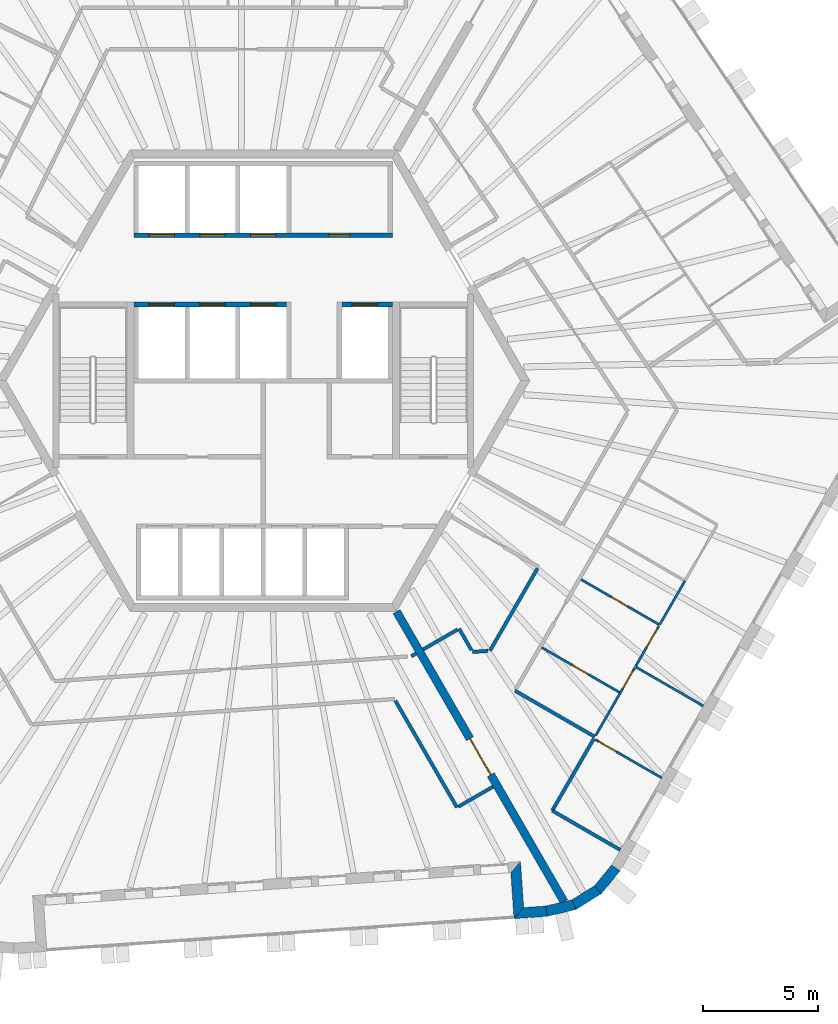
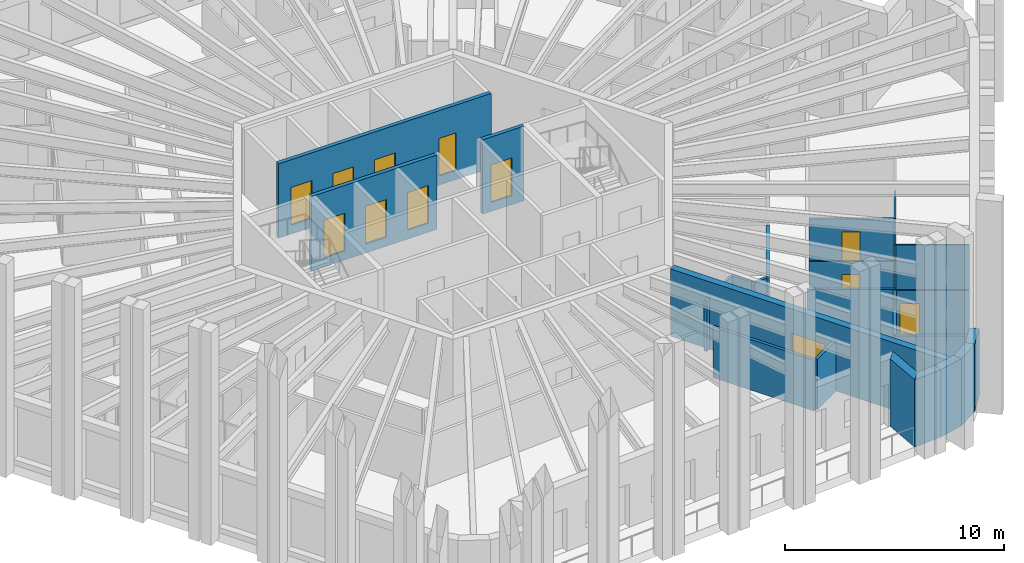
# One storey, part 5 of 12: 27 walls, 14 doors, 14 openings.
"""IFC4 building model written with IfcOpenShell, lengths in metres."""

from ifc_helpers import new_model, si_unit, direction, frame, frame_2d, origin, place, context, subcontext, project, spatial, polyline, rectangle, outline, extrude, material, layer, layer_set, type_object, element, fill, save


model = new_model("IFC4")

# Units and contexts
model_context = context("Model", 3, precision=1e-05, world=origin(), true_north=direction((0.0, 1.0)))
body_context = subcontext(model_context, "Body", "Model", "MODEL_VIEW")
ifc_project = project(units=[si_unit("LENGTHUNIT", "METRE"), si_unit("AREAUNIT", "SQUARE_METRE"), si_unit("VOLUMEUNIT", "CUBIC_METRE"), si_unit("PLANEANGLEUNIT", "RADIAN"), si_unit("MASSUNIT", "GRAM", prefix="KILO")], contexts=[model_context])

# Site, building, storey
site_placement = place(None, origin())
site = spatial("IfcSite", under=ifc_project, at=site_placement, CompositionType="ELEMENT")
building_placement = place(site_placement, origin())
building = spatial("IfcBuilding", under=site, at=building_placement, Name="Tarnside Tower", CompositionType="ELEMENT")
storey_placement = place(building_placement, frame((0.0, 0.0, 349.5)))
storey = spatial("IfcBuildingStorey", under=building, at=storey_placement, Name="L84", CompositionType="ELEMENT", Elevation=349.5)

# Wall
ifc_material_1 = material(Name="Gypsum board partition on steel studs", Category="steel")
ifc_layer_1 = layer(ifc_material_1, 0.10009765625)
ifc_layer_set_1 = layer_set([ifc_layer_1], Name="Bathroom wall 100")
wall_type_1 = type_object("IfcWallType", Name="Bathroom wall 100", PredefinedType="PARTITIONING", material=ifc_layer_set_1)
wall_1_placement = place(storey_placement, frame((18.26318359375, -8.66748046875, 0.0), z_axis=(0.0, 0.0, 1.0), x_axis=(-0.50002983664, -0.866008176907, 0.0)))
element("IfcWall", 1, at=wall_1_placement, inside=storey, type_object=wall_type_1, Name="Bathroom wall 27106", PredefinedType="PARTITIONING", context=body_context, shape_type="SweptSolid", body=[
    extrude(rectangle(XDim=2.199951171875, YDim=0.10009765625, at=frame_2d((1.10009765625, 0.0))), origin(), (0.0, 0.0, 1.0), 2.820068359375),
])

# Wall, opening, door
wall_2_placement = place(storey_placement, frame((12.06396484375, -11.5546875, 0.0), z_axis=(0.0, 0.0, 1.0), x_axis=(0.866037464623, -0.499979109433, 0.0)))
wall_2 = element("IfcWall", 2, at=wall_2_placement, inside=storey, type_object=wall_type_1, Name="Bathroom wall 27113", PredefinedType="PARTITIONING", context=body_context, shape_type="SweptSolid", body=[
    extrude(rectangle(XDim=3.925048828125, YDim=0.10009765625, at=frame_2d((1.96240234375, 0.0))), origin(), (0.0, 0.0, 1.0), 2.820068359375),
])
opening_1_placement = place(wall_2_placement, frame((1.52490234375, 0.0, 0.0)))
opening_1 = element("IfcOpeningElement", 3, at=opening_1_placement, cuts=wall_2, Name="Opening D-B1", PredefinedType="OPENING", context=body_context, shape_type="SweptSolid", body=[
    extrude(rectangle(XDim=0.800048828125, YDim=2.10009765625, at=frame_2d((0.39990234375, 1.050048828125))), frame((0.0, 0.06005859375, 0.0), z_axis=(0.0, -1.0, 0.0), x_axis=(1.0, 0.0, 0.0)), (0.0, 0.0, 1.0), 0.1201171875),
])
ifc_material_2 = material(Name="Timber door leaf", Category="wood")
door_type_1 = type_object("IfcDoorType", Name="Bathroom door 800", OperationType="NOTDEFINED", PredefinedType="DOOR", material=ifc_material_2)
door_1_placement = place(opening_1_placement, origin())
door_1 = element("IfcDoor", 4, at=door_1_placement, inside=storey, type_object=door_type_1, Name="Bathroom door 27036", OperationType="SINGLE_SWING_RIGHT", OverallHeight=2.10009765625, OverallWidth=0.800048828125, PredefinedType="DOOR", context=body_context, shape_type="SweptSolid", body=[
    extrude(rectangle(XDim=0.800048828125, YDim=2.10009765625, at=frame_2d((0.39990234375, 1.050048828125))), frame((0.0, 0.02490234375, 0.0), z_axis=(0.0, -1.0, 0.0), x_axis=(1.0, 0.0, 0.0)), (0.0, 0.0, 1.0), 0.050048828125),
])
fill(opening_1, door_1)

wall_3_placement = place(storey_placement, frame((17.119873046875, -10.547607421875, 0.0), z_axis=(0.0, 0.0, 1.0), x_axis=(-0.866032409438, 0.499987865656, 0.0)))
wall_3 = element("IfcWall", 5, at=wall_3_placement, inside=storey, type_object=wall_type_1, Name="Bathroom wall 27115", PredefinedType="PARTITIONING", context=body_context, shape_type="SweptSolid", body=[
    extrude(rectangle(XDim=3.875, YDim=0.10009765625, at=frame_2d((1.9375, 0.0))), origin(), (0.0, 0.0, 1.0), 2.820068359375),
])
opening_2_placement = place(wall_3_placement, frame((1.550048828125, 0.0, 0.0)))
opening_2 = element("IfcOpeningElement", 6, at=opening_2_placement, cuts=wall_3, Name="Opening D-B1", PredefinedType="OPENING", context=body_context, shape_type="SweptSolid", body=[
    extrude(rectangle(XDim=0.800048828125, YDim=2.10009765625, at=frame_2d((0.39990234375, 1.050048828125))), frame((0.0, 0.06005859375, 0.0), z_axis=(0.0, -1.0, 0.0), x_axis=(1.0, 0.0, 0.0)), (0.0, 0.0, 1.0), 0.1201171875),
])
door_2_placement = place(opening_2_placement, origin())
door_2 = element("IfcDoor", 7, at=door_2_placement, inside=storey, type_object=door_type_1, Name="Bathroom door 27042", OperationType="SINGLE_SWING_LEFT", OverallHeight=2.10009765625, OverallWidth=0.800048828125, PredefinedType="DOOR", context=body_context, shape_type="SweptSolid", body=[
    extrude(rectangle(XDim=0.800048828125, YDim=2.10009765625, at=frame_2d((0.39990234375, 1.050048828125))), frame((0.0, 0.02490234375, 0.0), z_axis=(0.0, -1.0, 0.0), x_axis=(1.0, 0.0, 0.0)), (0.0, 0.0, 1.0), 0.050048828125),
])
fill(opening_2, door_2)

# Wall
wall_4_placement = place(storey_placement, frame((14.399658203125, -15.359130859375, 0.0), z_axis=(0.0, 0.0, 1.0), x_axis=(0.499987164874, 0.866032814021, 0.0)))
element("IfcWall", 8, at=wall_4_placement, inside=storey, type_object=wall_type_1, Name="Bathroom wall 27116", PredefinedType="PARTITIONING", context=body_context, shape_type="SweptSolid", body=[
    extrude(rectangle(XDim=2.12890625, YDim=0.10009765625, at=frame_2d((1.064453125, 0.0))), origin(), (0.0, 0.0, 1.0), 2.820068359375),
])

# Wall, opening, door
ifc_material_3 = material(Name="Concrete C50/60", Category="concrete")
ifc_layer_2 = layer(ifc_material_3, 0.35009765625)
ifc_layer_set_2 = layer_set([ifc_layer_2], Name="Core wall Z4 350 C50/60")
wall_type_2 = type_object("IfcWallType", Name="Core wall Z4 350 C50/60", PredefinedType="SHEAR", material=ifc_layer_set_2)
wall_5_placement = place(storey_placement, frame((5.7734375, -10.0, 0.0), z_axis=(0.0, 0.0, 1.0), x_axis=(0.500007911273, -0.866020836161, 0.0)))
wall_5 = element("IfcWall", 9, at=wall_5_placement, inside=storey, type_object=wall_type_2, Name="L84 spine wall 3", PredefinedType="SHEAR", context=body_context, shape_type="SweptSolid", body=[
    extrude(rectangle(XDim=14.510498046875, YDim=0.35009765625, at=frame_2d((7.25537109375, 0.0))), origin(), (0.0, 0.0, 1.0), 3.75),
])
opening_3_placement = place(wall_5_placement, frame((6.355224609375, 0.0, 0.0)))
opening_3 = element("IfcOpeningElement", 10, at=opening_3_placement, cuts=wall_5, Name="Opening CD-SPN", PredefinedType="OPENING", context=body_context, shape_type="SweptSolid", body=[
    extrude(rectangle(XDim=1.800048828125, YDim=2.39990234375, at=frame_2d((0.89990234375, 1.199951171875))), frame((0.0, 0.18505859375, 0.0), z_axis=(0.0, -1.0, 0.0), x_axis=(1.0, 0.0, 0.0)), (0.0, 0.0, 1.0), 0.3701171875),
])
ifc_material_4 = material(Name="Steel fire door", Category="steel")
door_type_2 = type_object("IfcDoorType", Name="Spine passage double door FD60 1800x2400", OperationType="NOTDEFINED", PredefinedType="DOOR", material=ifc_material_4)
door_3_placement = place(opening_3_placement, origin())
door_3 = element("IfcDoor", 11, at=door_3_placement, inside=storey, type_object=door_type_2, Name="L84 spine passage door 3", OperationType="DOUBLE_DOOR_SINGLE_SWING", OverallHeight=2.39990234375, OverallWidth=1.800048828125, PredefinedType="DOOR", context=body_context, shape_type="SweptSolid", body=[
    extrude(rectangle(XDim=1.800048828125, YDim=2.39990234375, at=frame_2d((0.89990234375, 1.199951171875))), frame((0.0, 0.02490234375, 0.0), z_axis=(0.0, -1.0, 0.0), x_axis=(1.0, 0.0, 0.0)), (0.0, 0.0, 1.0), 0.050048828125),
])
fill(opening_3, door_3)

# Walls
ifc_layer_3 = layer(ifc_material_1, 0.14990234375)
ifc_layer_set_3 = layer_set([ifc_layer_3], Name="Corridor wall 150 EI 60")
wall_type_3 = type_object("IfcWallType", Name="Corridor wall 150 EI 60", PredefinedType="PARTITIONING", material=ifc_layer_set_3)
wall_6_placement = place(storey_placement, frame((5.721435546875, -13.859619140625, 0.0), z_axis=(0.0, 0.0, 1.0), x_axis=(0.499970524249, -0.866042420948, 0.0)))
element("IfcWall", 12, at=wall_6_placement, inside=storey, type_object=wall_type_3, Name="Corridor wall 27026", PredefinedType="PARTITIONING", context=body_context, shape_type="SweptSolid", body=[
    extrude(rectangle(XDim=5.338623046875, YDim=0.14990234375, at=frame_2d((2.66943359375, 0.0))), origin(), (0.0, 0.0, 1.0), 2.820068359375),
])
wall_7_placement = place(storey_placement, frame((8.455810546875, -18.44580078125, 0.0), z_axis=(0.0, 0.0, 1.0), x_axis=(0.866013532718, 0.500020560727, 0.0)))
element("IfcWall", 13, at=wall_7_placement, inside=storey, type_object=wall_type_3, Name="Corridor wall 27027", PredefinedType="PARTITIONING", context=body_context, shape_type="SweptSolid", body=[
    extrude(rectangle(XDim=1.72509765625, YDim=0.14990234375, at=frame_2d((0.862548828125, 0.0))), origin(), (0.0, 0.0, 1.0), 2.820068359375),
])
wall_8_placement = place(storey_placement, frame((6.61865234375, -11.81396484375, 0.0), z_axis=(0.0, 0.0, 1.0), x_axis=(-0.865544827262, -0.500831460673, 0.0)))
element("IfcWall", 14, at=wall_8_placement, inside=storey, type_object=wall_type_3, Name="Corridor wall 27039", PredefinedType="PARTITIONING", context=body_context, shape_type="SweptSolid", body=[
    extrude(rectangle(XDim=0.23486328125, YDim=0.14990234375, at=frame_2d((0.117431640625, 0.0))), origin(), (0.0, 0.0, 1.0), 2.820068359375),
])
wall_9_placement = place(storey_placement, frame((14.363037109375, -15.42236328125, 0.0), z_axis=(0.0, 0.0, 1.0), x_axis=(-0.866026010844, 0.49999894854, 0.0)))
element("IfcWall", 15, at=wall_9_placement, inside=storey, type_object=wall_type_3, Name="Corridor wall 27046", PredefinedType="PARTITIONING", context=body_context, shape_type="SweptSolid", body=[
    extrude(rectangle(XDim=4.0, YDim=0.14990234375, at=frame_2d((2.0, 0.0))), origin(), (0.0, 0.0, 1.0), 2.820068359375),
])
wall_10_placement = place(storey_placement, frame((12.516845703125, -18.6201171875, 0.0), z_axis=(0.0, 0.0, 1.0), x_axis=(0.500006299954, 0.866021766474, 0.0)))
element("IfcWall", 16, at=wall_10_placement, inside=storey, type_object=wall_type_3, Name="Corridor wall 27048", PredefinedType="PARTITIONING", context=body_context, shape_type="SweptSolid", body=[
    extrude(rectangle(XDim=3.5986328125, YDim=0.14990234375, at=frame_2d((1.79931640625, 0.0))), origin(), (0.0, 0.0, 1.0), 2.820068359375),
])
wall_11_placement = place(storey_placement, frame((15.460693359375, -20.3212890625, 0.0), z_axis=(0.0, 0.0, 1.0), x_axis=(-0.866010935101, 0.500025059658, 0.0)))
element("IfcWall", 17, at=wall_11_placement, inside=storey, type_object=wall_type_3, Name="Corridor wall 27049", PredefinedType="PARTITIONING", context=body_context, shape_type="SweptSolid", body=[
    extrude(rectangle(XDim=3.398681640625, YDim=0.14990234375, at=frame_2d((1.69921875, 0.0))), origin(), (0.0, 0.0, 1.0), 2.820068359375),
])
wall_12_placement = place(storey_placement, frame((11.87939453125, -8.124267578125, 0.0), z_axis=(0.0, 0.0, 1.0), x_axis=(-0.500006178143, -0.866021836803, 0.0)))
element("IfcWall", 18, at=wall_12_placement, inside=storey, type_object=wall_type_3, Name="Corridor wall 27063", PredefinedType="PARTITIONING", context=body_context, shape_type="SweptSolid", body=[
    extrude(rectangle(XDim=4.12158203125, YDim=0.14990234375, at=frame_2d((2.060791015625, 0.0))), origin(), (0.0, 0.0, 1.0), 2.820068359375),
])
wall_13_placement = place(storey_placement, frame((9.728515625, -11.699951171875, 0.0), z_axis=(0.0, 0.0, 1.0), x_axis=(-0.997585124395, -0.069454442519, 0.0)))
element("IfcWall", 19, at=wall_13_placement, inside=storey, type_object=wall_type_3, Name="Corridor wall 27064", PredefinedType="PARTITIONING", context=body_context, shape_type="SweptSolid", body=[
    extrude(rectangle(XDim=0.66796875, YDim=0.14990234375, at=frame_2d((0.333984375, 0.0))), origin(), (0.0, 0.0, 1.0), 2.820068359375),
])
wall_14_placement = place(storey_placement, frame((9.020751953125, -11.674072265625, 0.0), z_axis=(0.0, 0.0, 1.0), x_axis=(-0.500126914667, 0.865952117167, 0.0)))
element("IfcWall", 20, at=wall_14_placement, inside=storey, type_object=wall_type_3, Name="Corridor wall 27065", PredefinedType="PARTITIONING", context=body_context, shape_type="SweptSolid", body=[
    extrude(rectangle(XDim=1.079833984375, YDim=0.14990234375, at=frame_2d((0.5400390625, 0.0))), origin(), (0.0, 0.0, 1.0), 2.820068359375),
])
wall_15_placement = place(storey_placement, frame((8.415771484375, -10.776611328125, 0.0), z_axis=(0.0, 0.0, 1.0), x_axis=(-0.866074815912, -0.499914405916, 0.0)))
element("IfcWall", 21, at=wall_15_placement, inside=storey, type_object=wall_type_3, Name="Corridor wall 27066", PredefinedType="PARTITIONING", context=body_context, shape_type="SweptSolid", body=[
    extrude(rectangle(XDim=1.724853515625, YDim=0.14990234375, at=frame_2d((0.8623046875, 0.0))), origin(), (0.0, 0.0, 1.0), 2.820068359375),
])

# Wall, openings, doors
ifc_material_5 = material(Name="Concrete C40/50", Category="concrete")
ifc_layer_4 = layer(ifc_material_5, 0.199951171875)
ifc_layer_set_4 = layer_set([ifc_layer_4], Name="Lift shaft wall 200 C40/50")
wall_type_4 = type_object("IfcWallType", Name="Lift shaft wall 200 C40/50", PredefinedType="SHEAR", material=ifc_layer_set_4)
wall_16_placement = place(storey_placement, frame((-5.60009765625, 6.300048828125, -0.5), z_axis=(0.0, 0.0, 1.0), x_axis=(1.0, 0.0, 0.0)))
wall_16 = element("IfcWall", 22, at=wall_16_placement, inside=storey, type_object=wall_type_4, Name="L84 lift shaft front wall R1", PredefinedType="SHEAR", context=body_context, shape_type="SweptSolid", body=[
    extrude(rectangle(XDim=11.2001953125, YDim=0.199951171875, at=frame_2d((5.60009765625, 0.0))), origin(), (0.0, 0.0, 1.0), 4.14990234375),
])
opening_4_placement = place(wall_16_placement, frame((8.449951171875, 0.0, 0.5)))
opening_4 = element("IfcOpeningElement", 23, at=opening_4_placement, cuts=wall_16, Name="Opening CD-room", PredefinedType="OPENING", context=body_context, shape_type="SweptSolid", body=[
    extrude(rectangle(XDim=0.89990234375, YDim=2.10009765625, at=frame_2d((0.449951171875, 1.050048828125))), frame((0.0, 0.10986328125, 0.0), z_axis=(0.0, -1.0, 0.0), x_axis=(1.0, 0.0, 0.0)), (0.0, 0.0, 1.0), 0.219970703125),
])
opening_5_placement = place(wall_16_placement, frame((0.64990234375, 0.0, 0.5)))
opening_5 = element("IfcOpeningElement", 24, at=opening_5_placement, cuts=wall_16, Name="Opening LD", PredefinedType="OPENING", context=body_context, shape_type="SweptSolid", body=[
    extrude(rectangle(XDim=1.10009765625, YDim=2.10009765625, at=frame_2d((0.550048828125, 1.050048828125))), frame((0.0, 0.10986328125, 0.0), z_axis=(0.0, -1.0, 0.0), x_axis=(1.0, 0.0, 0.0)), (0.0, 0.0, 1.0), 0.219970703125),
])
opening_6_placement = place(wall_16_placement, frame((2.85009765625, 0.0, 0.5)))
opening_6 = element("IfcOpeningElement", 25, at=opening_6_placement, cuts=wall_16, Name="Opening LD", PredefinedType="OPENING", context=body_context, shape_type="SweptSolid", body=[
    extrude(rectangle(XDim=1.10009765625, YDim=2.10009765625, at=frame_2d((0.550048828125, 1.050048828125))), frame((0.0, 0.10986328125, 0.0), z_axis=(0.0, -1.0, 0.0), x_axis=(1.0, 0.0, 0.0)), (0.0, 0.0, 1.0), 0.219970703125),
])
opening_7_placement = place(wall_16_placement, frame((5.050048828125, 0.0, 0.5)))
opening_7 = element("IfcOpeningElement", 26, at=opening_7_placement, cuts=wall_16, Name="Opening LD", PredefinedType="OPENING", context=body_context, shape_type="SweptSolid", body=[
    extrude(rectangle(XDim=1.10009765625, YDim=2.10009765625, at=frame_2d((0.550048828125, 1.050048828125))), frame((0.0, 0.10986328125, 0.0), z_axis=(0.0, -1.0, 0.0), x_axis=(1.0, 0.0, 0.0)), (0.0, 0.0, 1.0), 0.219970703125),
])
ifc_material_6 = material(Name="Stainless steel", Category="steel")
door_type_3 = type_object("IfcDoorType", Name="Lift landing door 1100x2100", OperationType="NOTDEFINED", PredefinedType="DOOR", material=ifc_material_6)
door_4_placement = place(opening_5_placement, origin())
door_4 = element("IfcDoor", 27, at=door_4_placement, inside=storey, type_object=door_type_3, Name="High-rise lift 1 landing door L84", OperationType="SLIDING_TO_LEFT", OverallHeight=2.10009765625, OverallWidth=1.10009765625, PredefinedType="DOOR", context=body_context, shape_type="SweptSolid", body=[
    extrude(rectangle(XDim=1.10009765625, YDim=2.10009765625, at=frame_2d((0.550048828125, 1.050048828125))), frame((0.0, 0.02490234375, 0.0), z_axis=(0.0, -1.0, 0.0), x_axis=(1.0, 0.0, 0.0)), (0.0, 0.0, 1.0), 0.050048828125),
])
fill(opening_5, door_4)
door_5_placement = place(opening_6_placement, origin())
door_5 = element("IfcDoor", 28, at=door_5_placement, inside=storey, type_object=door_type_3, Name="High-rise lift 2 landing door L84", OperationType="SLIDING_TO_LEFT", OverallHeight=2.10009765625, OverallWidth=1.10009765625, PredefinedType="DOOR", context=body_context, shape_type="SweptSolid", body=[
    extrude(rectangle(XDim=1.10009765625, YDim=2.10009765625, at=frame_2d((0.550048828125, 1.050048828125))), frame((0.0, 0.02490234375, 0.0), z_axis=(0.0, -1.0, 0.0), x_axis=(1.0, 0.0, 0.0)), (0.0, 0.0, 1.0), 0.050048828125),
])
fill(opening_6, door_5)
door_6_placement = place(opening_7_placement, origin())
door_6 = element("IfcDoor", 29, at=door_6_placement, inside=storey, type_object=door_type_3, Name="High-rise lift 3 landing door L84", OperationType="SLIDING_TO_LEFT", OverallHeight=2.10009765625, OverallWidth=1.10009765625, PredefinedType="DOOR", context=body_context, shape_type="SweptSolid", body=[
    extrude(rectangle(XDim=1.10009765625, YDim=2.10009765625, at=frame_2d((0.550048828125, 1.050048828125))), frame((0.0, 0.02490234375, 0.0), z_axis=(0.0, -1.0, 0.0), x_axis=(1.0, 0.0, 0.0)), (0.0, 0.0, 1.0), 0.050048828125),
])
fill(opening_7, door_6)
door_type_4 = type_object("IfcDoorType", Name="Room door FD60 900x2100", OperationType="NOTDEFINED", PredefinedType="DOOR", material=ifc_material_4)
door_7_placement = place(opening_4_placement, origin())
door_7 = element("IfcDoor", 30, at=door_7_placement, inside=storey, type_object=door_type_4, Name="L84 core room door FC1", OperationType="SINGLE_SWING_LEFT", OverallHeight=2.10009765625, OverallWidth=0.89990234375, PredefinedType="DOOR", context=body_context, shape_type="SweptSolid", body=[
    extrude(rectangle(XDim=0.89990234375, YDim=2.10009765625, at=frame_2d((0.449951171875, 1.050048828125))), frame((0.0, 0.02490234375, 0.0), z_axis=(0.0, -1.0, 0.0), x_axis=(1.0, 0.0, 0.0)), (0.0, 0.0, 1.0), 0.050048828125),
])
fill(opening_4, door_7)

wall_17_placement = place(storey_placement, frame((-5.60009765625, 3.300048828125, -0.5), z_axis=(0.0, 0.0, 1.0), x_axis=(1.0, 0.0, 0.0)))
wall_17 = element("IfcWall", 31, at=wall_17_placement, inside=storey, type_object=wall_type_4, Name="L84 lift shaft front wall R2", PredefinedType="SHEAR", context=body_context, shape_type="SweptSolid", body=[
    extrude(rectangle(XDim=6.60009765625, YDim=0.199951171875, at=frame_2d((3.300048828125, 0.0))), origin(), (0.0, 0.0, 1.0), 4.14990234375),
])
opening_8_placement = place(wall_17_placement, frame((0.64990234375, 0.0, 0.5)))
opening_8 = element("IfcOpeningElement", 32, at=opening_8_placement, cuts=wall_17, Name="Opening LD", PredefinedType="OPENING", context=body_context, shape_type="SweptSolid", body=[
    extrude(rectangle(XDim=1.10009765625, YDim=2.10009765625, at=frame_2d((0.550048828125, 1.050048828125))), frame((0.0, 0.10986328125, 0.0), z_axis=(0.0, -1.0, 0.0), x_axis=(1.0, 0.0, 0.0)), (0.0, 0.0, 1.0), 0.219970703125),
])
opening_9_placement = place(wall_17_placement, frame((2.85009765625, 0.0, 0.5)))
opening_9 = element("IfcOpeningElement", 33, at=opening_9_placement, cuts=wall_17, Name="Opening LD", PredefinedType="OPENING", context=body_context, shape_type="SweptSolid", body=[
    extrude(rectangle(XDim=1.10009765625, YDim=2.10009765625, at=frame_2d((0.550048828125, 1.050048828125))), frame((0.0, 0.10986328125, 0.0), z_axis=(0.0, -1.0, 0.0), x_axis=(1.0, 0.0, 0.0)), (0.0, 0.0, 1.0), 0.219970703125),
])
opening_10_placement = place(wall_17_placement, frame((5.050048828125, 0.0, 0.5)))
opening_10 = element("IfcOpeningElement", 34, at=opening_10_placement, cuts=wall_17, Name="Opening LD", PredefinedType="OPENING", context=body_context, shape_type="SweptSolid", body=[
    extrude(rectangle(XDim=1.10009765625, YDim=2.10009765625, at=frame_2d((0.550048828125, 1.050048828125))), frame((0.0, 0.10986328125, 0.0), z_axis=(0.0, -1.0, 0.0), x_axis=(1.0, 0.0, 0.0)), (0.0, 0.0, 1.0), 0.219970703125),
])
door_8_placement = place(opening_8_placement, origin())
door_8 = element("IfcDoor", 35, at=door_8_placement, inside=storey, type_object=door_type_3, Name="High-rise lift 4 landing door L84", OperationType="SLIDING_TO_LEFT", OverallHeight=2.10009765625, OverallWidth=1.10009765625, PredefinedType="DOOR", context=body_context, shape_type="SweptSolid", body=[
    extrude(rectangle(XDim=1.10009765625, YDim=2.10009765625, at=frame_2d((0.550048828125, 1.050048828125))), frame((0.0, 0.02490234375, 0.0), z_axis=(0.0, -1.0, 0.0), x_axis=(1.0, 0.0, 0.0)), (0.0, 0.0, 1.0), 0.050048828125),
])
fill(opening_8, door_8)
door_9_placement = place(opening_9_placement, origin())
door_9 = element("IfcDoor", 36, at=door_9_placement, inside=storey, type_object=door_type_3, Name="High-rise lift 5 landing door L84", OperationType="SLIDING_TO_LEFT", OverallHeight=2.10009765625, OverallWidth=1.10009765625, PredefinedType="DOOR", context=body_context, shape_type="SweptSolid", body=[
    extrude(rectangle(XDim=1.10009765625, YDim=2.10009765625, at=frame_2d((0.550048828125, 1.050048828125))), frame((0.0, 0.02490234375, 0.0), z_axis=(0.0, -1.0, 0.0), x_axis=(1.0, 0.0, 0.0)), (0.0, 0.0, 1.0), 0.050048828125),
])
fill(opening_9, door_9)
door_10_placement = place(opening_10_placement, origin())
door_10 = element("IfcDoor", 37, at=door_10_placement, inside=storey, type_object=door_type_3, Name="High-rise lift 6 landing door L84", OperationType="SLIDING_TO_LEFT", OverallHeight=2.10009765625, OverallWidth=1.10009765625, PredefinedType="DOOR", context=body_context, shape_type="SweptSolid", body=[
    extrude(rectangle(XDim=1.10009765625, YDim=2.10009765625, at=frame_2d((0.550048828125, 1.050048828125))), frame((0.0, 0.02490234375, 0.0), z_axis=(0.0, -1.0, 0.0), x_axis=(1.0, 0.0, 0.0)), (0.0, 0.0, 1.0), 0.050048828125),
])
fill(opening_10, door_10)

# Wall, opening, door
wall_18_placement = place(storey_placement, frame((3.39990234375, 3.300048828125, -0.5), z_axis=(0.0, 0.0, 1.0), x_axis=(1.0, 0.0, 0.0)))
wall_18 = element("IfcWall", 38, at=wall_18_placement, inside=storey, type_object=wall_type_4, Name="L84 lift shaft front wall R2 2", PredefinedType="SHEAR", context=body_context, shape_type="SweptSolid", body=[
    extrude(rectangle(XDim=2.2001953125, YDim=0.199951171875, at=frame_2d((1.10009765625, 0.0))), origin(), (0.0, 0.0, 1.0), 4.14990234375),
])
opening_11_placement = place(wall_18_placement, frame((0.449951171875, 0.0, 0.5)))
opening_11 = element("IfcOpeningElement", 39, at=opening_11_placement, cuts=wall_18, Name="Opening LD", PredefinedType="OPENING", context=body_context, shape_type="SweptSolid", body=[
    extrude(rectangle(XDim=1.10009765625, YDim=2.10009765625, at=frame_2d((0.550048828125, 1.050048828125))), frame((0.0, 0.10986328125, 0.0), z_axis=(0.0, -1.0, 0.0), x_axis=(1.0, 0.0, 0.0)), (0.0, 0.0, 1.0), 0.219970703125),
])
door_11_placement = place(opening_11_placement, origin())
door_11 = element("IfcDoor", 40, at=door_11_placement, inside=storey, type_object=door_type_3, Name="Express sky-lobby shuttle 2 landing door L84", OperationType="SLIDING_TO_LEFT", OverallHeight=2.10009765625, OverallWidth=1.10009765625, PredefinedType="DOOR", context=body_context, shape_type="SweptSolid", body=[
    extrude(rectangle(XDim=1.10009765625, YDim=2.10009765625, at=frame_2d((0.550048828125, 1.050048828125))), frame((0.0, 0.02490234375, 0.0), z_axis=(0.0, -1.0, 0.0), x_axis=(1.0, 0.0, 0.0)), (0.0, 0.0, 1.0), 0.050048828125),
])
fill(opening_11, door_11)

# Walls
ifc_material_7 = material(Name="Dark zinc cladding")
ifc_layer_5 = layer(ifc_material_7, 0.10205078125)
ifc_material_8 = material(Name="Concrete C60/75 precast", Category="concrete")
ifc_layer_6 = layer(ifc_material_8, 0.248046875)
ifc_material_9 = material(Name="Mineral wool insulation")
ifc_layer_7 = layer(ifc_material_9, 0.10009765625)
ifc_layer_set_5 = layer_set([ifc_layer_5, ifc_layer_6, ifc_layer_7], Name="Loggia wall 450 zinc faced")
wall_type_5 = type_object("IfcWallType", Name="Loggia wall 450 zinc faced", PredefinedType="SOLIDWALL", material=ifc_layer_set_5)
wall_19_placement = place(storey_placement, frame((10.93017578125, -21.06396484375, 0.0), z_axis=(0.0, 0.0, 1.0), x_axis=(0.069702791886, -0.99756780261, 0.0)))
element("IfcWall", 41, at=wall_19_placement, inside=storey, type_object=wall_type_5, Name="Tube wall L84 F4 return 19", PredefinedType="SOLIDWALL", context=body_context, shape_type="SweptSolid", body=[
    extrude(outline(polyline([(0.224853515625, -0.22509765625), (2.22509765625, -0.22509765625), (1.77490234375, 0.22509765625), (-0.224853515625, 0.22509765625), (0.224853515625, -0.22509765625)])), origin(), (0.0, 0.0, 1.0), 3.75),
])
wall_20_placement = place(storey_placement, frame((11.069580078125, -23.05908203125, 0.0), z_axis=(0.0, 0.0, 1.0), x_axis=(0.997562933087, 0.069772448216, 0.0)))
element("IfcWall", 42, at=wall_20_placement, inside=storey, type_object=wall_type_5, Name="Tube wall L84 F4 stub 20", PredefinedType="SOLIDWALL", context=body_context, shape_type="SweptSolid", body=[
    extrude(outline(polyline([(-0.224853515625, -0.22509765625), (1.218505859375, -0.22509765625), (1.181884765625, 0.22509765625), (0.224853515625, 0.22509765625), (-0.224853515625, -0.22509765625)])), origin(), (0.0, 0.0, 1.0), 3.75),
])

# Wall, opening, door
ifc_layer_8 = layer(ifc_material_1, 0.10009765625)
ifc_layer_set_6 = layer_set([ifc_layer_8], Name="Partition 100")
wall_type_6 = type_object("IfcWallType", Name="Partition 100", PredefinedType="PARTITIONING", material=ifc_layer_set_6)
wall_21_placement = place(storey_placement, frame((17.13818359375, -10.615966796875, 0.0), z_axis=(0.0, 0.0, 1.0), x_axis=(-0.500015134316, -0.866016665807, 0.0)))
wall_21 = element("IfcWall", 43, at=wall_21_placement, inside=storey, type_object=wall_type_6, Name="Partition wall 27104", PredefinedType="PARTITIONING", context=body_context, shape_type="SweptSolid", body=[
    extrude(rectangle(XDim=2.0458984375, YDim=0.10009765625, at=frame_2d((1.02294921875, 0.0))), origin(), (0.0, 0.0, 1.0), 2.820068359375),
])
opening_12_placement = place(wall_21_placement, frame((0.14990234375, 0.0, 0.0)))
opening_12 = element("IfcOpeningElement", 44, at=opening_12_placement, cuts=wall_21, Name="Opening D-I1", PredefinedType="OPENING", context=body_context, shape_type="SweptSolid", body=[
    extrude(rectangle(XDim=0.89990234375, YDim=2.10009765625, at=frame_2d((0.449951171875, 1.050048828125))), frame((0.0, 0.06005859375, 0.0), z_axis=(0.0, -1.0, 0.0), x_axis=(1.0, 0.0, 0.0)), (0.0, 0.0, 1.0), 0.1201171875),
])
door_type_5 = type_object("IfcDoorType", Name="Internal door 900", OperationType="NOTDEFINED", PredefinedType="DOOR", material=ifc_material_2)
door_12_placement = place(opening_12_placement, origin())
door_12 = element("IfcDoor", 45, at=door_12_placement, inside=storey, type_object=door_type_5, Name="Internal door 27037", OperationType="SINGLE_SWING_RIGHT", OverallHeight=2.10009765625, OverallWidth=0.89990234375, PredefinedType="DOOR", context=body_context, shape_type="SweptSolid", body=[
    extrude(rectangle(XDim=0.89990234375, YDim=2.10009765625, at=frame_2d((0.449951171875, 1.050048828125))), frame((0.0, 0.02490234375, 0.0), z_axis=(0.0, -1.0, 0.0), x_axis=(1.0, 0.0, 0.0)), (0.0, 0.0, 1.0), 0.050048828125),
])
fill(opening_12, door_12)

# Wall
wall_22_placement = place(storey_placement, frame((16.159423828125, -12.410888671875, 0.0), z_axis=(0.0, 0.0, 1.0), x_axis=(0.866032680314, -0.499987396469, 0.0)))
element("IfcWall", 46, at=wall_22_placement, inside=storey, type_object=wall_type_6, Name="Partition wall 27105", PredefinedType="PARTITIONING", context=body_context, shape_type="SweptSolid", body=[
    extrude(rectangle(XDim=3.35009765625, YDim=0.10009765625, at=frame_2d((1.675048828125, 0.0))), origin(), (0.0, 0.0, 1.0), 2.820068359375),
])

# Wall, opening, door
wall_23_placement = place(storey_placement, frame((15.462158203125, -13.518798828125, 0.0), z_axis=(0.0, 0.0, 1.0), x_axis=(0.50004158446, 0.866001393654, 0.0)))
wall_23 = element("IfcWall", 47, at=wall_23_placement, inside=storey, type_object=wall_type_6, Name="Partition wall 27114", PredefinedType="PARTITIONING", context=body_context, shape_type="SweptSolid", body=[
    extrude(rectangle(XDim=1.25830078125, YDim=0.10009765625, at=frame_2d((0.629150390625, 0.0))), origin(), (0.0, 0.0, 1.0), 2.820068359375),
])
opening_13_placement = place(wall_23_placement, frame((0.205078125, 0.0, 0.0)))
opening_13 = element("IfcOpeningElement", 48, at=opening_13_placement, cuts=wall_23, Name="Opening D-I1", PredefinedType="OPENING", context=body_context, shape_type="SweptSolid", body=[
    extrude(rectangle(XDim=0.89990234375, YDim=2.10009765625, at=frame_2d((0.449951171875, 1.050048828125))), frame((0.0, 0.06005859375, 0.0), z_axis=(0.0, -1.0, 0.0), x_axis=(1.0, 0.0, 0.0)), (0.0, 0.0, 1.0), 0.1201171875),
])
door_13_placement = place(opening_13_placement, origin())
door_13 = element("IfcDoor", 49, at=door_13_placement, inside=storey, type_object=door_type_5, Name="Internal door 27041", OperationType="SINGLE_SWING_LEFT", OverallHeight=2.10009765625, OverallWidth=0.89990234375, PredefinedType="DOOR", context=body_context, shape_type="SweptSolid", body=[
    extrude(rectangle(XDim=0.89990234375, YDim=2.10009765625, at=frame_2d((0.449951171875, 1.050048828125))), frame((0.0, 0.02490234375, 0.0), z_axis=(0.0, -1.0, 0.0), x_axis=(1.0, 0.0, 0.0)), (0.0, 0.0, 1.0), 0.050048828125),
])
fill(opening_13, door_13)

wall_24_placement = place(storey_placement, frame((17.2607421875, -17.20361328125, 0.0), z_axis=(0.0, 0.0, 1.0), x_axis=(-0.866020521143, 0.500008456887, 0.0)))
wall_24 = element("IfcWall", 50, at=wall_24_placement, inside=storey, type_object=wall_type_6, Name="Partition wall 27117", PredefinedType="PARTITIONING", context=body_context, shape_type="SweptSolid", body=[
    extrude(rectangle(XDim=3.3251953125, YDim=0.10009765625, at=frame_2d((1.66259765625, 0.0))), origin(), (0.0, 0.0, 1.0), 2.820068359375),
])
opening_14_placement = place(wall_24_placement, frame((2.27490234375, 0.0, 0.0)))
opening_14 = element("IfcOpeningElement", 51, at=opening_14_placement, cuts=wall_24, Name="Opening D-I1", PredefinedType="OPENING", context=body_context, shape_type="SweptSolid", body=[
    extrude(rectangle(XDim=0.89990234375, YDim=2.10009765625, at=frame_2d((0.449951171875, 1.050048828125))), frame((0.0, 0.06005859375, 0.0), z_axis=(0.0, -1.0, 0.0), x_axis=(1.0, 0.0, 0.0)), (0.0, 0.0, 1.0), 0.1201171875),
])
door_14_placement = place(opening_14_placement, origin())
door_14 = element("IfcDoor", 52, at=door_14_placement, inside=storey, type_object=door_type_5, Name="Internal door 27040", OperationType="SINGLE_SWING_RIGHT", OverallHeight=2.10009765625, OverallWidth=0.89990234375, PredefinedType="DOOR", context=body_context, shape_type="SweptSolid", body=[
    extrude(rectangle(XDim=0.89990234375, YDim=2.10009765625, at=frame_2d((0.449951171875, 1.050048828125))), frame((0.0, 0.02490234375, 0.0), z_axis=(0.0, -1.0, 0.0), x_axis=(1.0, 0.0, 0.0)), (0.0, 0.0, 1.0), 0.050048828125),
])
fill(opening_14, door_14)

# Walls
ifc_material_10 = material(Name="Facing brick", Category="masonry")
ifc_layer_9 = layer(ifc_material_10, 0.10205078125)
ifc_layer_10 = layer(ifc_material_8, 0.248046875)
ifc_layer_11 = layer(ifc_material_9, 0.10009765625)
ifc_layer_set_7 = layer_set([ifc_layer_9, ifc_layer_10, ifc_layer_11], Name="Tube wall 450 brick faced")
wall_type_7 = type_object("IfcWallType", Name="Tube wall 450 brick faced", PredefinedType="SOLIDWALL", material=ifc_layer_set_7)
wall_25_placement = place(storey_placement, frame((12.266845703125, -22.975341796875, 0.0), z_axis=(0.0, 0.0, 1.0), x_axis=(0.973026131006, 0.230694924913, 0.0)))
element("IfcWall", 53, at=wall_25_placement, inside=storey, type_object=wall_type_7, Name="Tube wall L84 F4 chord 21", PredefinedType="SOLIDWALL", context=body_context, shape_type="SweptSolid", body=[
    extrude(outline(polyline([(-0.018310546875, -0.22509765625), (1.26123046875, -0.22509765625), (1.1875, 0.22509765625), (0.018310546875, 0.22509765625), (-0.018310546875, -0.22509765625)])), origin(), (0.0, 0.0, 1.0), 3.75),
])
wall_26_placement = place(storey_placement, frame((13.458251953125, -22.69287109375, 0.0), z_axis=(0.0, 0.0, 1.0), x_axis=(0.848009505552, 0.529981017107, 0.0)))
element("IfcWall", 54, at=wall_26_placement, inside=storey, type_object=wall_type_7, Name="Tube wall L84 F4 chord 22", PredefinedType="SOLIDWALL", context=body_context, shape_type="SweptSolid", body=[
    extrude(outline(polyline([(-0.036865234375, -0.22509765625), (1.26123046875, -0.22509765625), (1.1875, 0.22509765625), (0.036865234375, 0.22509765625), (-0.036865234375, -0.22509765625)])), origin(), (0.0, 0.0, 1.0), 3.75),
])
wall_27_placement = place(storey_placement, frame((14.49658203125, -22.0439453125, 0.0), z_axis=(0.0, 0.0, 1.0), x_axis=(0.633867343651, 0.773441782329, 0.0)))
element("IfcWall", 55, at=wall_27_placement, inside=storey, type_object=wall_type_7, Name="Tube wall L84 F4 chord 23", PredefinedType="SOLIDWALL", context=body_context, shape_type="SweptSolid", body=[
    extrude(outline(polyline([(-0.036865234375, -0.22509765625), (1.24267578125, -0.22509765625), (1.2060546875, 0.22509765625), (0.036865234375, 0.22509765625), (-0.036865234375, -0.22509765625)])), origin(), (0.0, 0.0, 1.0), 3.75),
])

save(model, "model.ifc")
